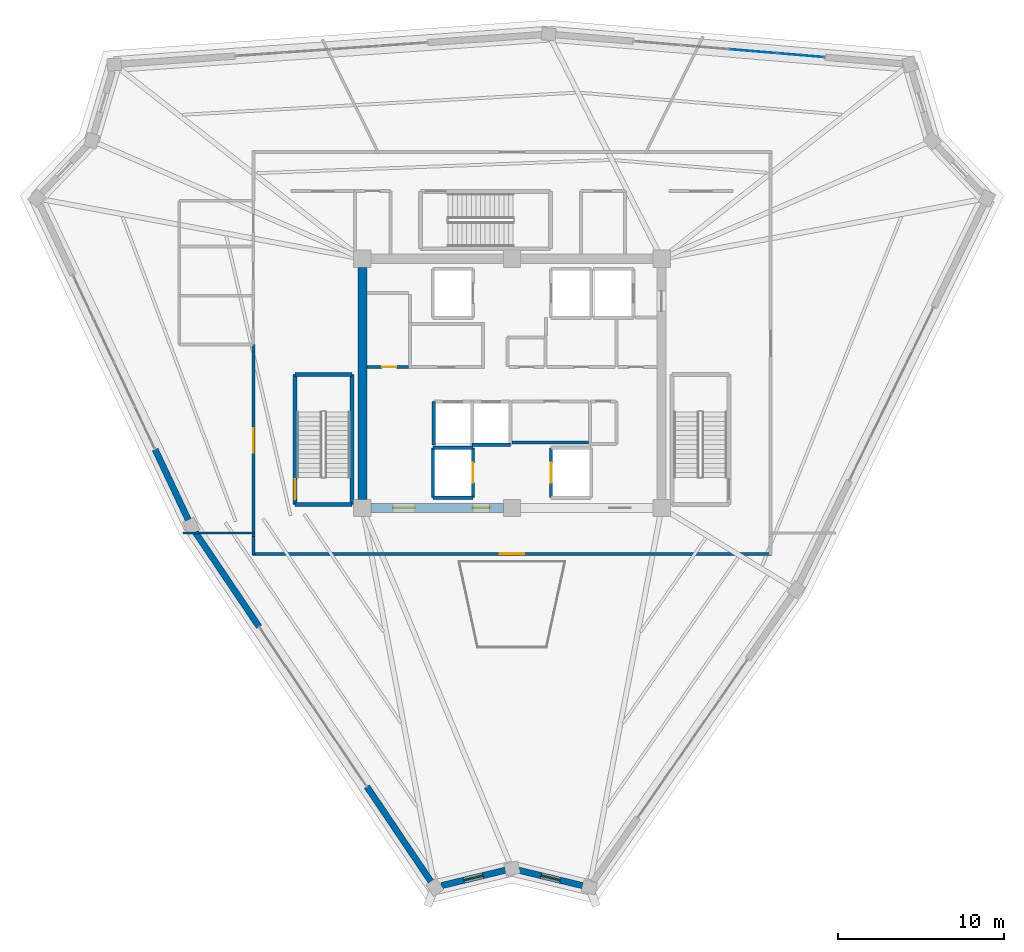
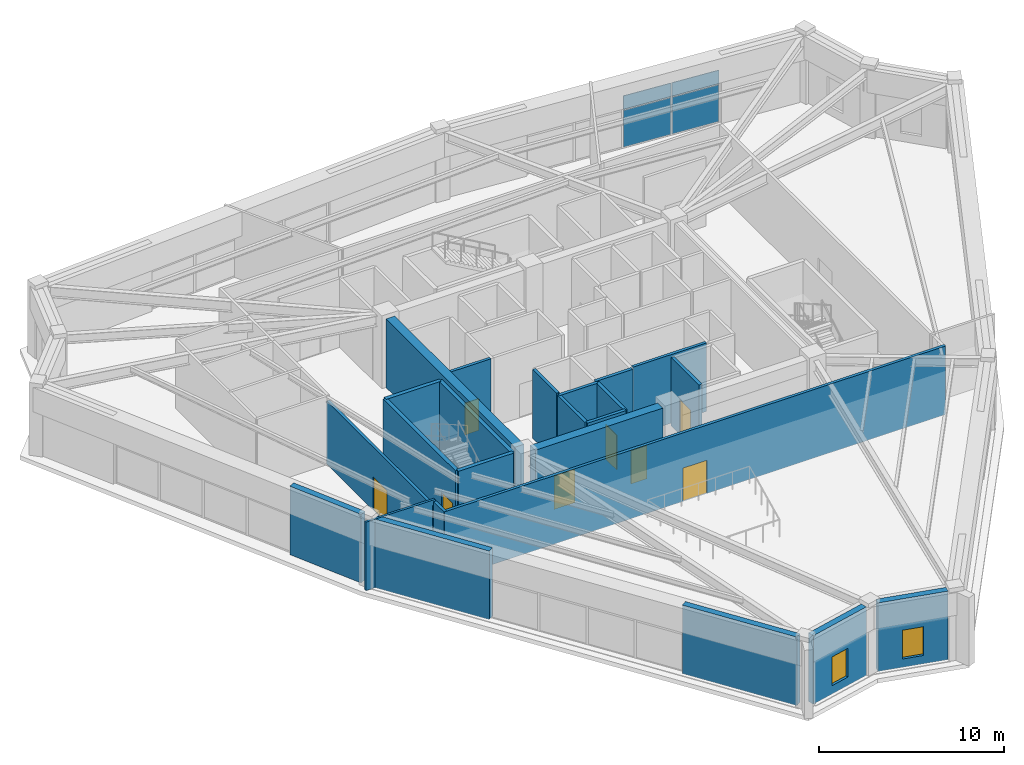
# One storey, part 33 of 40: 24 walls, 8 doors, 4 plates, 2 windows, 10 openings, 1 element without a shape of its own.
"""IFC4 building model written with IfcOpenShell, lengths in metres."""

from ifc_helpers import new_model, si_unit, direction, frame, frame_2d, origin, origin_2d, place, context, subcontext, project, spatial, rectangle, extrude, source, transform, mapped, material, layer, layer_set, type_object, element, fill, aggregate, save


model = new_model("IFC4")

# Units and contexts
model_context = context("Model", 3, precision=1e-05, world=origin(), true_north=direction((0.0, 1.0)))
body_context = subcontext(model_context, "Body", "Model", "MODEL_VIEW")
ifc_project = project(units=[si_unit("LENGTHUNIT", "METRE"), si_unit("AREAUNIT", "SQUARE_METRE"), si_unit("VOLUMEUNIT", "CUBIC_METRE"), si_unit("PLANEANGLEUNIT", "RADIAN"), si_unit("MASSUNIT", "GRAM", prefix="KILO")], contexts=[model_context])

# Site, building, storey
site_placement = place(None, origin())
site = spatial("IfcSite", under=ifc_project, at=site_placement, CompositionType="ELEMENT")
building_placement = place(site_placement, origin())
building = spatial("IfcBuilding", under=site, at=building_placement, Name="Liaohun Quay Tower", CompositionType="ELEMENT")
storey_placement = place(building_placement, frame((0.0, 0.0, 351.0)))
storey = spatial("IfcBuildingStorey", under=building, at=storey_placement, Name="L91", CompositionType="ELEMENT", Elevation=351.0)

# Curtain wall, plates
ifc_material_1 = material(Name="Observation gallery panoramic triple-glazed curtain wall")
ifc_layer_1 = layer(ifc_material_1, 0.219970703125, Name="Observation gallery panoramic triple-glazed curtain wall")
ifc_layer_set_1 = layer_set([ifc_layer_1], Name="Observation gallery panoramic triple-glazed curtain wall")
curtain_wall_type = type_object("IfcCurtainWallType", Name="CW-OBS-CRN", PredefinedType="NOTDEFINED", material=ifc_layer_set_1)
curtain_wall_placement = place(storey_placement, origin())
curtain_wall = element("IfcCurtainWall", 1, at=curtain_wall_placement, inside=storey, type_object=curtain_wall_type, Name="L91 Panoramic Belvedere Curtain Wall 03", PredefinedType="NOTDEFINED")
ifc_material_2 = material(Name="Triple Low-E clear insulated glass unit", Category="glass")
ifc_layer_2 = layer(ifc_material_2, 0.0439453125, Name="Triple Low-E clear insulated glass unit", Category="glass")
ifc_layer_set_2 = layer_set([ifc_layer_2], Name="Triple Low-E clear insulated glass unit")
plate_type = type_object("IfcPlateType", Name="PLT-CWP-GLZ1", PredefinedType="CURTAIN_PANEL", material=ifc_layer_set_2)
shared_shape_1 = source(origin(), body_context, "Body", "SweptSolid", [
    extrude(rectangle(XDim=2.80224609375, YDim=0.0439453125, at=origin_2d()), origin(), (0.0, 0.0, 1.0), 2.429931640625),
])
plate_1_placement = place(storey_placement, frame((77.388916015625, 73.7421875, 0.06005859375), z_axis=(0.0, 0.0, 1.0), x_axis=(-0.996518951226, 0.083366539138, 0.0)))
plate_1 = element("IfcPlate", 2, at=plate_1_placement, type_object=plate_type, Name="CW6 panel 1.1", PredefinedType="CURTAIN_PANEL", context=body_context, shape_type="MappedRepresentation", body=[
    mapped(shared_shape_1, transform((0.0, 0.0, 0.0), x_axis=(1.0, 0.0, 0.0), y_axis=(0.0, 1.0, 0.0), z_axis=(0.0, 0.0, 1.0), scale=1.0)),
])
shared_shape_2 = source(origin(), body_context, "Body", "SweptSolid", [
    extrude(rectangle(XDim=2.80224609375, YDim=0.0439453125, at=origin_2d()), origin(), (0.0, 0.0, 1.0), 0.889892578125),
])
plate_2_placement = place(storey_placement, frame((77.388916015625, 73.7421875, 2.55029296875), z_axis=(0.0, 0.0, 1.0), x_axis=(-0.996518951226, 0.083366539138, 0.0)))
plate_2 = element("IfcPlate", 3, at=plate_2_placement, type_object=plate_type, Name="CW6 panel 1.2", PredefinedType="CURTAIN_PANEL", context=body_context, shape_type="MappedRepresentation", body=[
    mapped(shared_shape_2, transform((0.0, 0.0, 0.0), x_axis=(1.0, 0.0, 0.0), y_axis=(0.0, 1.0, 0.0), z_axis=(0.0, 0.0, 1.0), scale=1.0)),
])
shared_shape_3 = source(origin(), body_context, "Body", "SweptSolid", [
    extrude(rectangle(XDim=2.8349609375, YDim=0.0439453125, at=origin_2d()), origin(), (0.0, 0.0, 1.0), 2.429931640625),
])
plate_3_placement = place(storey_placement, frame((74.515380859375, 73.982666015625, 0.06005859375), z_axis=(0.0, 0.0, 1.0), x_axis=(-0.996518951226, 0.083366539138, 0.0)))
plate_3 = element("IfcPlate", 4, at=plate_3_placement, type_object=plate_type, Name="CW6 panel 2.1", PredefinedType="CURTAIN_PANEL", context=body_context, shape_type="MappedRepresentation", body=[
    mapped(shared_shape_3, transform((0.0, 0.0, 0.0), x_axis=(1.0, 0.0, 0.0), y_axis=(0.0, 1.0, 0.0), z_axis=(0.0, 0.0, 1.0), scale=1.0)),
])
shared_shape_4 = source(origin(), body_context, "Body", "SweptSolid", [
    extrude(rectangle(XDim=2.8349609375, YDim=0.0439453125, at=origin_2d()), origin(), (0.0, 0.0, 1.0), 0.889892578125),
])
plate_4_placement = place(storey_placement, frame((74.515380859375, 73.982666015625, 2.55029296875), z_axis=(0.0, 0.0, 1.0), x_axis=(-0.996518951226, 0.083366539138, 0.0)))
plate_4 = element("IfcPlate", 5, at=plate_4_placement, type_object=plate_type, Name="CW6 panel 2.2", PredefinedType="CURTAIN_PANEL", context=body_context, shape_type="MappedRepresentation", body=[
    mapped(shared_shape_4, transform((0.0, 0.0, 0.0), x_axis=(1.0, 0.0, 0.0), y_axis=(0.0, 1.0, 0.0), z_axis=(0.0, 0.0, 1.0), scale=1.0)),
])
aggregate(curtain_wall, [plate_1, plate_2, plate_3, plate_4])

# Wall, openings, doors
ifc_material_3 = material(Name="Concrete C50", Category="concrete")
ifc_layer_3 = layer(ifc_material_3, 0.550048828125, Name="Concrete C50", Category="concrete")
ifc_layer_set_3 = layer_set([ifc_layer_3], Name="Concrete C50")
wall_type_1 = type_object("IfcWallType", Name="WAL-COR-Z4", PredefinedType="SHEAR", material=ifc_layer_set_3)
wall_1_placement = place(storey_placement, frame((59.47509765625, 46.5, 0.0), z_axis=(0.0, 0.0, 1.0), x_axis=(-1.0, 0.0, 0.0)))
wall_1 = element("IfcWall", 6, at=wall_1_placement, inside=storey, type_object=wall_type_1, Name="L91 Central Core Shear Wall S-W", PredefinedType="SHEAR", context=body_context, shape_type="SweptSolid", body=[
    extrude(rectangle(XDim=7.9501953125, YDim=0.550048828125, at=frame_2d((3.97509765625, 0.0))), origin(), (0.0, 0.0, 1.0), 4.52001953125),
])
shared_shape_5 = source(origin(), body_context, "Body", "SweptSolid", [
    extrude(rectangle(XDim=1.300048828125, YDim=2.199951171875, at=frame_2d((0.64990234375, 1.10009765625))), frame((0.0, 0.284912109375, 0.0), z_axis=(0.0, -1.0, 0.0), x_axis=(1.0, 0.0, 0.0)), (0.0, 0.0, 1.0), 0.570068359375),
])
opening_1_placement = place(wall_1_placement, frame((5.324951171875, 0.0, 0.0)))
opening_1 = element("IfcOpeningElement", 7, at=opening_1_placement, cuts=wall_1, Name="Opening FD1", PredefinedType="OPENING", context=body_context, shape_type="MappedRepresentation", body=[
    mapped(shared_shape_5, transform((0.0, 0.0, 0.0), x_axis=(1.0, 0.0, 0.0), y_axis=(0.0, 1.0, 0.0), z_axis=(0.0, 0.0, 1.0), scale=1.0)),
])
shared_shape_6 = source(origin(), body_context, "Body", "SweptSolid", [
    extrude(rectangle(XDim=1.0, YDim=2.199951171875, at=frame_2d((0.5, 1.10009765625))), frame((0.0, 0.284912109375, 0.0), z_axis=(0.0, -1.0, 0.0), x_axis=(1.0, 0.0, 0.0)), (0.0, 0.0, 1.0), 0.570068359375),
])
opening_2_placement = place(wall_1_placement, frame((0.824951171875, 0.0, 0.0)))
opening_2 = element("IfcOpeningElement", 8, at=opening_2_placement, cuts=wall_1, Name="Opening FD2", PredefinedType="OPENING", context=body_context, shape_type="MappedRepresentation", body=[
    mapped(shared_shape_6, transform((0.0, 0.0, 0.0), x_axis=(1.0, 0.0, 0.0), y_axis=(0.0, 1.0, 0.0), z_axis=(0.0, 0.0, 1.0), scale=1.0)),
])
ifc_material_4 = material(Name="Galvanised steel smokeproof fire door", Category="steel")
door_type_1 = type_object("IfcDoorType", Name="DOR-FFL-1300", OperationType="NOTDEFINED", PredefinedType="DOOR", material=ifc_material_4)
shared_shape_7 = source(origin(), body_context, "Body", "SweptSolid", [
    extrude(rectangle(XDim=1.300048828125, YDim=2.199951171875, at=frame_2d((0.64990234375, 1.10009765625))), frame((0.0, 0.02490234375, 0.0), z_axis=(0.0, -1.0, 0.0), x_axis=(1.0, 0.0, 0.0)), (0.0, 0.0, 1.0), 0.050048828125),
])
door_1_placement = place(opening_1_placement, origin())
door_1 = element("IfcDoor", 9, at=door_1_placement, inside=storey, type_object=door_type_1, Name="L91 West Core Lift Lobby Smokeproof Door", OperationType="SINGLE_SWING_RIGHT", OverallHeight=2.199951171875, OverallWidth=1.300048828125, PredefinedType="DOOR", context=body_context, shape_type="MappedRepresentation", body=[
    mapped(shared_shape_7, transform((0.0, 0.0, 0.0), x_axis=(1.0, 0.0, 0.0), y_axis=(0.0, 1.0, 0.0), z_axis=(0.0, 0.0, 1.0), scale=1.0)),
])
fill(opening_1, door_1)
ifc_material_5 = material(Name="Galvanised steel smokeproof lobby fire door", Category="steel")
door_type_2 = type_object("IfcDoorType", Name="DOR-FFL-1000", OperationType="NOTDEFINED", PredefinedType="DOOR", material=ifc_material_5)
shared_shape_8 = source(origin(), body_context, "Body", "SweptSolid", [
    extrude(rectangle(XDim=1.0, YDim=2.199951171875, at=frame_2d((0.5, 1.10009765625))), frame((0.0, 0.02490234375, 0.0), z_axis=(0.0, -1.0, 0.0), x_axis=(1.0, 0.0, 0.0)), (0.0, 0.0, 1.0), 0.050048828125),
])
door_2_placement = place(opening_2_placement, origin())
door_2 = element("IfcDoor", 10, at=door_2_placement, inside=storey, type_object=door_type_2, Name="L91 South Firefighting Lobby Smokeproof Door", OperationType="SINGLE_SWING_LEFT", OverallHeight=2.199951171875, OverallWidth=1.0, PredefinedType="DOOR", context=body_context, shape_type="MappedRepresentation", body=[
    mapped(shared_shape_8, transform((0.0, 0.0, 0.0), x_axis=(1.0, 0.0, 0.0), y_axis=(0.0, 1.0, 0.0), z_axis=(0.0, 0.0, 1.0), scale=1.0)),
])
fill(opening_2, door_2)

# Wall
wall_2_placement = place(storey_placement, frame((51.0, 47.02490234375, 0.0), z_axis=(0.0, 0.0, 1.0), x_axis=(0.0, 1.0, 0.0)))
element("IfcWall", 11, at=wall_2_placement, inside=storey, type_object=wall_type_1, Name="L91 Central Core Shear Wall W", PredefinedType="SHEAR", context=body_context, shape_type="SweptSolid", body=[
    extrude(rectangle(XDim=13.9501953125, YDim=0.550048828125, at=frame_2d((6.97509765625, 0.0))), origin(), (0.0, 0.0, 1.0), 4.52001953125),
])

# Wall, opening, window
ifc_material_6 = material(Name="Precast concrete C50 insulated sandwich", Category="concrete")
ifc_layer_4 = layer(ifc_material_6, 0.3798828125, Name="Precast concrete C50 insulated sandwich", Category="concrete")
ifc_layer_set_4 = layer_set([ifc_layer_4], Name="Precast concrete C50 insulated sandwich")
wall_type_2 = type_object("IfcWallType", Name="WAL-EXT-Z34", PredefinedType="SOLIDWALL", material=ifc_layer_set_4)
wall_3_placement = place(storey_placement, frame((60.403076171875, 24.701904296875, 0.0), z_axis=(0.0, 0.0, 1.0), x_axis=(0.972087058114, -0.234620441238, 0.0)))
wall_3 = element("IfcWall", 12, at=wall_3_placement, inside=storey, type_object=wall_type_2, Name="L91 Corner Notch Precast Pier Wall 01", PredefinedType="SOLIDWALL", context=body_context, shape_type="SweptSolid", body=[
    extrude(rectangle(XDim=3.95947265625, YDim=0.3798828125, at=frame_2d((1.979736328125, 0.0))), origin(), (0.0, 0.0, 1.0), 4.52001953125),
])
shared_shape_9 = source(origin(), body_context, "Body", "SweptSolid", [
    extrude(rectangle(XDim=1.199951171875, YDim=1.89990234375, at=frame_2d((0.60009765625, 0.949951171875))), frame((0.0, 0.199951171875, 0.0), z_axis=(0.0, -1.0, 0.0), x_axis=(1.0, 0.0, 0.0)), (0.0, 0.0, 1.0), 0.39990234375),
])
opening_3_placement = place(wall_3_placement, frame((1.3798828125, 0.0, 0.550048828125)))
opening_3 = element("IfcOpeningElement", 13, at=opening_3_placement, cuts=wall_3, Name="Opening W05", PredefinedType="OPENING", context=body_context, shape_type="MappedRepresentation", body=[
    mapped(shared_shape_9, transform((0.0, 0.0, 0.0), x_axis=(1.0, 0.0, 0.0), y_axis=(0.0, 1.0, 0.0), z_axis=(0.0, 0.0, 1.0), scale=1.0)),
])
ifc_material_7 = material(Name="Triple Low-E corner notch glazing", Category="glass")
window_type = type_object("IfcWindowType", Name="WIN-NOTCH", PartitioningType="SINGLE_PANEL", PredefinedType="WINDOW", material=ifc_material_7)
shared_shape_10 = source(origin(), body_context, "Body", "SweptSolid", [
    extrude(rectangle(XDim=1.199951171875, YDim=1.89990234375, at=frame_2d((0.60009765625, 0.949951171875))), frame((0.0, 0.030029296875, 0.0), z_axis=(0.0, -1.0, 0.0), x_axis=(1.0, 0.0, 0.0)), (0.0, 0.0, 1.0), 0.06005859375),
])
window_1_placement = place(opening_3_placement, origin())
window_1 = element("IfcWindow", 14, at=window_1_placement, inside=storey, type_object=window_type, Name="L91 Corner Notch Window W05-01", OverallHeight=1.89990234375, OverallWidth=1.199951171875, PartitioningType="SINGLE_PANEL", PredefinedType="WINDOW", context=body_context, shape_type="MappedRepresentation", body=[
    mapped(shared_shape_10, transform((0.0, 0.0, 0.0), x_axis=(1.0, 0.0, 0.0), y_axis=(0.0, 1.0, 0.0), z_axis=(0.0, 0.0, 1.0), scale=1.0)),
])
fill(opening_3, window_1)

# Walls
wall_4_placement = place(storey_placement, frame((38.52587890625, 50.02001953125, 0.0), z_axis=(0.0, 0.0, 1.0), x_axis=(0.425937528266, -0.904752575025, 0.0)))
element("IfcWall", 15, at=wall_4_placement, inside=storey, type_object=wall_type_2, Name="L91 Belvedere Flank Pier Wall 10R", PredefinedType="SOLIDWALL", context=body_context, shape_type="SweptSolid", body=[
    extrude(rectangle(XDim=4.686279296875, YDim=0.3798828125, at=frame_2d((2.34326171875, 0.0))), origin(), (0.0, 0.0, 1.0), 4.52001953125),
])
for number, where, z_axis, x_axis, name in (
    (16, (40.930908203125, 45.06103515625, 0.0), (0.0, 0.0, 1.0), (0.559190389006, -0.829039268578, 0.0), "L91 Belvedere Flank Pier Wall 11L"),
    (17, (51.27001953125, 29.73291015625, 0.0), (0.0, 0.0, 1.0), (0.559190389006, -0.829039268578, 0.0), "L91 Belvedere Flank Pier Wall 11R"),
):
    element("IfcWall", number, at=place(storey_placement, frame(where, z_axis=z_axis, x_axis=x_axis)), inside=storey, type_object=wall_type_2, Name=name, PredefinedType="SOLIDWALL", context=body_context, shape_type="SweptSolid", body=[
        extrude(rectangle(XDim=6.888671875, YDim=0.3798828125, at=frame_2d((3.4443359375, 0.0))), origin(), (0.0, 0.0, 1.0), 4.52001953125),
    ])

# Wall, opening, window
wall_5_placement = place(storey_placement, frame((55.757080078125, 23.77490234375, 0.0), z_axis=(0.0, 0.0, 1.0), x_axis=(0.972073944114, 0.234674768934, 0.0)))
wall_5 = element("IfcWall", 18, at=wall_5_placement, inside=storey, type_object=wall_type_2, Name="L91 Corner Notch Precast Pier Wall 12", PredefinedType="SOLIDWALL", context=body_context, shape_type="SweptSolid", body=[
    extrude(rectangle(XDim=3.9501953125, YDim=0.3798828125, at=frame_2d((1.97509765625, 0.0))), origin(), (0.0, 0.0, 1.0), 4.52001953125),
])
opening_4_placement = place(wall_5_placement, frame((1.375, 0.0, 0.550048828125)))
opening_4 = element("IfcOpeningElement", 19, at=opening_4_placement, cuts=wall_5, Name="Opening W05", PredefinedType="OPENING", context=body_context, shape_type="MappedRepresentation", body=[
    mapped(shared_shape_9, transform((0.0, 0.0, 0.0), x_axis=(1.0, 0.0, 0.0), y_axis=(0.0, 1.0, 0.0), z_axis=(0.0, 0.0, 1.0), scale=1.0)),
])
window_2_placement = place(opening_4_placement, origin())
window_2 = element("IfcWindow", 20, at=window_2_placement, inside=storey, type_object=window_type, Name="L91 Corner Notch Window W05-12", OverallHeight=1.89990234375, OverallWidth=1.199951171875, PartitioningType="SINGLE_PANEL", PredefinedType="WINDOW", context=body_context, shape_type="MappedRepresentation", body=[
    mapped(shared_shape_10, transform((0.0, 0.0, 0.0), x_axis=(1.0, 0.0, 0.0), y_axis=(0.0, 1.0, 0.0), z_axis=(0.0, 0.0, 1.0), scale=1.0)),
])
fill(opening_4, window_2)

# Wall, opening, door
ifc_material_8 = material(Name="Autoclaved aerated concrete blockwork", Category="masonry")
ifc_layer_5 = layer(ifc_material_8, 0.179931640625, Name="Autoclaved aerated concrete blockwork", Category="masonry")
ifc_layer_set_5 = layer_set([ifc_layer_5], Name="Autoclaved aerated concrete blockwork")
wall_type_3 = type_object("IfcWallType", Name="WAL-PRT-COR", PredefinedType="PARTITIONING", material=ifc_layer_set_5)
wall_6_placement = place(storey_placement, frame((51.27490234375, 54.97998046875, 0.0), z_axis=(0.0, 0.0, 1.0), x_axis=(1.0, 0.0, 0.0)))
wall_6 = element("IfcWall", 21, at=wall_6_placement, inside=storey, type_object=wall_type_3, Name="L91 Interior Partition Wall 003", PredefinedType="PARTITIONING", context=body_context, shape_type="SweptSolid", body=[
    extrude(rectangle(XDim=2.485107421875, YDim=0.179931640625, at=frame_2d((1.24267578125, 0.0))), origin(), (0.0, 0.0, 1.0), 4.52001953125),
])
shared_shape_11 = source(origin(), body_context, "Body", "SweptSolid", [
    extrude(rectangle(XDim=0.85009765625, YDim=2.10009765625, at=frame_2d((0.425048828125, 1.050048828125))), frame((0.0, 0.099853515625, 0.0), z_axis=(0.0, -1.0, 0.0), x_axis=(1.0, 0.0, 0.0)), (0.0, 0.0, 1.0), 0.199951171875),
])
opening_5_placement = place(wall_6_placement, frame((0.9150390625, 0.0, 0.0)))
opening_5 = element("IfcOpeningElement", 22, at=opening_5_placement, cuts=wall_6, Name="Opening AD1", PredefinedType="OPENING", context=body_context, shape_type="MappedRepresentation", body=[
    mapped(shared_shape_11, transform((0.0, 0.0, 0.0), x_axis=(1.0, 0.0, 0.0), y_axis=(0.0, 1.0, 0.0), z_axis=(0.0, 0.0, 1.0), scale=1.0)),
])
ifc_material_9 = material(Name="Steel riser inspection fire door", Category="steel")
door_type_3 = type_object("IfcDoorType", Name="DOR-SHF-850", OperationType="NOTDEFINED", PredefinedType="DOOR", material=ifc_material_9)
shared_shape_12 = source(origin(), body_context, "Body", "SweptSolid", [
    extrude(rectangle(XDim=0.85009765625, YDim=2.10009765625, at=frame_2d((0.425048828125, 1.050048828125))), frame((0.0, 0.02490234375, 0.0), z_axis=(0.0, -1.0, 0.0), x_axis=(1.0, 0.0, 0.0)), (0.0, 0.0, 1.0), 0.050048828125),
])
door_3_placement = place(opening_5_placement, origin())
door_3 = element("IfcDoor", 23, at=door_3_placement, inside=storey, type_object=door_type_3, Name="L91 Core High-Zone Archive and Riser Store Door", OperationType="SINGLE_SWING_LEFT", OverallHeight=2.10009765625, OverallWidth=0.85009765625, PredefinedType="DOOR", context=body_context, shape_type="MappedRepresentation", body=[
    mapped(shared_shape_12, transform((0.0, 0.0, 0.0), x_axis=(1.0, 0.0, 0.0), y_axis=(0.0, 1.0, 0.0), z_axis=(0.0, 0.0, 1.0), scale=1.0)),
])
fill(opening_5, door_3)

wall_7_placement = place(storey_placement, frame((44.43994140625, 44.784912109375, 0.0), z_axis=(0.0, 0.0, 1.0), x_axis=(0.0, 1.0, 0.0)))
wall_7 = element("IfcWall", 24, at=wall_7_placement, inside=storey, type_object=wall_type_3, Name="L91 Interior Partition Wall 017", PredefinedType="PARTITIONING", context=body_context, shape_type="SweptSolid", body=[
    extrude(rectangle(XDim=11.55517578125, YDim=0.179931640625, at=frame_2d((5.777587890625, 0.0))), origin(), (0.0, 0.0, 1.0), 4.155029296875),
])
shared_shape_13 = source(origin(), body_context, "Body", "SweptSolid", [
    extrude(rectangle(XDim=1.5, YDim=2.199951171875, at=frame_2d((0.75, 1.10009765625))), frame((0.0, 0.099853515625, 0.0), z_axis=(0.0, -1.0, 0.0), x_axis=(1.0, 0.0, 0.0)), (0.0, 0.0, 1.0), 0.199951171875),
])
opening_6_placement = place(wall_7_placement, frame((5.028076171875, 0.0, 0.0)))
opening_6 = element("IfcOpeningElement", 25, at=opening_6_placement, cuts=wall_7, Name="Opening OD2", PredefinedType="OPENING", context=body_context, shape_type="MappedRepresentation", body=[
    mapped(shared_shape_13, transform((0.0, 0.0, 0.0), x_axis=(1.0, 0.0, 0.0), y_axis=(0.0, 1.0, 0.0), z_axis=(0.0, 0.0, 1.0), scale=1.0)),
])
ifc_material_10 = material(Name="Acoustic oak veneer double door")
door_type_4 = type_object("IfcDoorType", Name="DOR-OFF-1500", OperationType="DOUBLE_DOOR_SINGLE_SWING", PredefinedType="DOOR", material=ifc_material_10)
shared_shape_14 = source(origin(), body_context, "Body", "SweptSolid", [
    extrude(rectangle(XDim=1.5, YDim=2.199951171875, at=frame_2d((0.75, 1.10009765625))), frame((0.0, 0.02490234375, 0.0), z_axis=(0.0, -1.0, 0.0), x_axis=(1.0, 0.0, 0.0)), (0.0, 0.0, 1.0), 0.050048828125),
])
door_4_placement = place(opening_6_placement, origin())
door_4 = element("IfcDoor", 26, at=door_4_placement, inside=storey, type_object=door_type_4, Name="L91 West Skyline Exhibition Studio 03 Door", OperationType="DOUBLE_DOOR_SINGLE_SWING", OverallHeight=2.199951171875, OverallWidth=1.5, PredefinedType="DOOR", context=body_context, shape_type="MappedRepresentation", body=[
    mapped(shared_shape_14, transform((0.0, 0.0, 0.0), x_axis=(1.0, 0.0, 0.0), y_axis=(0.0, 1.0, 0.0), z_axis=(0.0, 0.0, 1.0), scale=1.0)),
])
fill(opening_6, door_4)

wall_8_placement = place(storey_placement, frame((75.6298828125, 43.739990234375, 0.0), z_axis=(0.0, 0.0, 1.0), x_axis=(-1.0, 0.0, 0.0)))
wall_8 = element("IfcWall", 27, at=wall_8_placement, inside=storey, type_object=wall_type_3, Name="L91 Interior Partition Wall 018", PredefinedType="PARTITIONING", context=body_context, shape_type="SweptSolid", body=[
    extrude(rectangle(XDim=31.259765625, YDim=0.179931640625, at=frame_2d((15.6298828125, 0.0))), origin(), (0.0, 0.0, 1.0), 4.52001953125),
])
opening_7_placement = place(wall_8_placement, frame((14.8798828125, 0.0, 0.0)))
opening_7 = element("IfcOpeningElement", 28, at=opening_7_placement, cuts=wall_8, Name="Opening OD2", PredefinedType="OPENING", context=body_context, shape_type="MappedRepresentation", body=[
    mapped(shared_shape_13, transform((0.0, 0.0, 0.0), x_axis=(1.0, 0.0, 0.0), y_axis=(0.0, 1.0, 0.0), z_axis=(0.0, 0.0, 1.0), scale=1.0)),
])
door_5_placement = place(opening_7_placement, origin())
door_5 = element("IfcDoor", 29, at=door_5_placement, inside=storey, type_object=door_type_4, Name="L91 North Sky Refreshment Kitchen 04 Door", OperationType="DOUBLE_DOOR_SINGLE_SWING", OverallHeight=2.199951171875, OverallWidth=1.5, PredefinedType="DOOR", context=body_context, shape_type="MappedRepresentation", body=[
    mapped(shared_shape_14, transform((0.0, 0.0, 0.0), x_axis=(1.0, 0.0, 0.0), y_axis=(0.0, 1.0, 0.0), z_axis=(0.0, 0.0, 1.0), scale=1.0)),
])
fill(opening_7, door_5)

# Walls
wall_9_placement = place(storey_placement, frame((44.43994140625, 43.669921875, 0.0), z_axis=(0.0, 0.0, 1.0), x_axis=(0.0, 1.0, 0.0)))
element("IfcWall", 30, at=wall_9_placement, inside=storey, type_object=wall_type_3, Name="L91 Interior Partition Wall 039", PredefinedType="PARTITIONING", context=body_context, shape_type="SweptSolid", body=[
    extrude(rectangle(XDim=1.114990234375, YDim=0.179931640625, at=frame_2d((0.5576171875, 0.0))), origin(), (0.0, 0.0, 1.0), 4.52001953125),
])
wall_10_placement = place(storey_placement, frame((60.0, 50.449951171875, 0.0), z_axis=(0.0, 0.0, 1.0), x_axis=(1.0, 0.0, 0.0)))
element("IfcWall", 31, at=wall_10_placement, inside=storey, type_object=wall_type_3, Name="L91 Interior Partition Wall 045", PredefinedType="PARTITIONING", context=body_context, shape_type="SweptSolid", body=[
    extrude(rectangle(XDim=4.60009765625, YDim=0.179931640625, at=frame_2d((2.300048828125, 0.0))), origin(), (0.0, 0.0, 1.0), 4.52001953125),
])
ifc_material_11 = material(Name="Gypsum board on twin steel studs", Category="steel")
ifc_layer_6 = layer(ifc_material_11, 0.139892578125, Name="Gypsum board on twin steel studs", Category="steel")
ifc_layer_set_6 = layer_set([ifc_layer_6], Name="Gypsum board on twin steel studs")
wall_type_4 = type_object("IfcWallType", Name="WAL-PRT-OFF", PredefinedType="PARTITIONING", material=ifc_layer_set_6)
wall_11_placement = place(storey_placement, frame((44.5400390625, 45.0, 0.0), z_axis=(0.0, 0.0, 1.0), x_axis=(-1.0, 0.0, 0.0)))
element("IfcWall", 32, at=wall_11_placement, inside=storey, type_object=wall_type_4, Name="L91 Interior Partition Wall 041", PredefinedType="PARTITIONING", context=body_context, shape_type="SweptSolid", body=[
    extrude(rectangle(XDim=4.3271484375, YDim=0.139892578125, at=frame_2d((2.16357421875, 0.0))), origin(), (0.0, 0.0, 1.0), 4.52001953125),
])
ifc_layer_7 = layer(ifc_material_3, 0.239990234375, Name="Concrete C50", Category="concrete")
ifc_layer_set_7 = layer_set([ifc_layer_7], Name="Concrete C50")
wall_type_5 = type_object("IfcWallType", Name="WAL-SHF-200", PredefinedType="SOLIDWALL", material=ifc_layer_set_7)
wall_12_placement = place(storey_placement, frame((46.93994140625, 46.699951171875, 0.0), z_axis=(0.0, 0.0, 1.0), x_axis=(1.0, 0.0, 0.0)))
element("IfcWall", 33, at=wall_12_placement, inside=storey, type_object=wall_type_5, Name="L91 Stairwell ST-1 Structural Core Wall S", PredefinedType="SOLIDWALL", context=body_context, shape_type="SweptSolid", body=[
    extrude(rectangle(XDim=3.43994140625, YDim=0.239990234375, at=frame_2d((1.719970703125, 0.0))), origin(), (0.0, 0.0, 1.0), 4.52001953125),
])
wall_13_placement = place(storey_placement, frame((50.3798828125, 46.699951171875, 0.0), z_axis=(0.0, 0.0, 1.0), x_axis=(0.0, 1.0, 0.0)))
element("IfcWall", 34, at=wall_13_placement, inside=storey, type_object=wall_type_5, Name="L91 Stairwell ST-1 Structural Core Wall E", PredefinedType="SOLIDWALL", context=body_context, shape_type="SweptSolid", body=[
    extrude(rectangle(XDim=7.820068359375, YDim=0.239990234375, at=frame_2d((3.91015625, 0.0))), origin(), (0.0, 0.0, 1.0), 4.52001953125),
])
wall_14_placement = place(storey_placement, frame((50.3798828125, 54.52001953125, 0.0), z_axis=(0.0, 0.0, 1.0), x_axis=(-1.0, 0.0, 0.0)))
element("IfcWall", 35, at=wall_14_placement, inside=storey, type_object=wall_type_5, Name="L91 Stairwell ST-1 Structural Core Wall N", PredefinedType="SOLIDWALL", context=body_context, shape_type="SweptSolid", body=[
    extrude(rectangle(XDim=3.43994140625, YDim=0.239990234375, at=frame_2d((1.719970703125, 0.0))), origin(), (0.0, 0.0, 1.0), 4.52001953125),
])

# Wall, opening, door
wall_15_placement = place(storey_placement, frame((46.93994140625, 54.52001953125, 0.0), z_axis=(0.0, 0.0, 1.0), x_axis=(0.0, -1.0, 0.0)))
wall_15 = element("IfcWall", 36, at=wall_15_placement, inside=storey, type_object=wall_type_5, Name="L91 Stairwell ST-1 Structural Core Wall W", PredefinedType="SOLIDWALL", context=body_context, shape_type="SweptSolid", body=[
    extrude(rectangle(XDim=7.820068359375, YDim=0.239990234375, at=frame_2d((3.91015625, 0.0))), origin(), (0.0, 0.0, 1.0), 4.52001953125),
])
shared_shape_15 = source(origin(), body_context, "Body", "SweptSolid", [
    extrude(rectangle(XDim=1.199951171875, YDim=2.199951171875, at=frame_2d((0.60009765625, 1.10009765625))), frame((0.0, 0.1298828125, 0.0), z_axis=(0.0, -1.0, 0.0), x_axis=(1.0, 0.0, 0.0)), (0.0, 0.0, 1.0), 0.260009765625),
])
opening_8_placement = place(wall_15_placement, frame((6.300048828125, 0.0, 0.0)))
opening_8 = element("IfcOpeningElement", 37, at=opening_8_placement, cuts=wall_15, Name="Opening SD1", PredefinedType="OPENING", context=body_context, shape_type="MappedRepresentation", body=[
    mapped(shared_shape_15, transform((0.0, 0.0, 0.0), x_axis=(1.0, 0.0, 0.0), y_axis=(0.0, 1.0, 0.0), z_axis=(0.0, 0.0, 1.0), scale=1.0)),
])
ifc_material_12 = material(Name="Galvanised steel fire door", Category="steel")
door_type_5 = type_object("IfcDoorType", Name="DOR-STR-1200", OperationType="NOTDEFINED", PredefinedType="DOOR", material=ifc_material_12)
shared_shape_16 = source(origin(), body_context, "Body", "SweptSolid", [
    extrude(rectangle(XDim=1.199951171875, YDim=2.199951171875, at=frame_2d((0.60009765625, 1.10009765625))), frame((0.0, 0.02490234375, 0.0), z_axis=(0.0, -1.0, 0.0), x_axis=(1.0, 0.0, 0.0)), (0.0, 0.0, 1.0), 0.050048828125),
])
door_6_placement = place(opening_8_placement, origin())
door_6 = element("IfcDoor", 38, at=door_6_placement, inside=storey, type_object=door_type_5, Name="L91 Protected Stair ST-1 Fire Door", OperationType="SINGLE_SWING_LEFT", OverallHeight=2.199951171875, OverallWidth=1.199951171875, PredefinedType="DOOR", context=body_context, shape_type="MappedRepresentation", body=[
    mapped(shared_shape_16, transform((0.0, 0.0, 0.0), x_axis=(1.0, 0.0, 0.0), y_axis=(0.0, 1.0, 0.0), z_axis=(0.0, 0.0, 1.0), scale=1.0)),
])
fill(opening_8, door_6)

# Wall
wall_16_placement = place(storey_placement, frame((55.25, 47.1201171875, 0.0), z_axis=(0.0, 0.0, 1.0), x_axis=(1.0, 0.0, 0.0)))
element("IfcWall", 39, at=wall_16_placement, inside=storey, type_object=wall_type_5, Name="L91 Lift FF-01 Hoistway Wall S", PredefinedType="SOLIDWALL", context=body_context, shape_type="SweptSolid", body=[
    extrude(rectangle(XDim=2.39990234375, YDim=0.199951171875, at=frame_2d((1.199951171875, 0.0))), origin(), (0.0, 0.0, 1.0), 4.52001953125),
])

# Wall, opening, door
wall_17_placement = place(storey_placement, frame((57.64990234375, 47.1201171875, 0.0), z_axis=(0.0, 0.0, 1.0), x_axis=(0.0, 1.0, 0.0)))
wall_17 = element("IfcWall", 40, at=wall_17_placement, inside=storey, type_object=wall_type_5, Name="L91 Lift FF-01 Hoistway Wall E", PredefinedType="SOLIDWALL", context=body_context, shape_type="SweptSolid", body=[
    extrude(rectangle(XDim=3.0, YDim=0.199951171875, at=frame_2d((1.5, 0.0))), origin(), (0.0, 0.0, 1.0), 4.52001953125),
])
shared_shape_17 = source(origin(), body_context, "Body", "SweptSolid", [
    extrude(rectangle(XDim=1.199951171875, YDim=2.300048828125, at=frame_2d((0.60009765625, 1.14990234375))), frame((0.0, 0.10986328125, 0.0), z_axis=(0.0, -1.0, 0.0), x_axis=(1.0, 0.0, 0.0)), (0.0, 0.0, 1.0), 0.219970703125),
])
opening_9_placement = place(wall_17_placement, frame((0.89990234375, 0.0, 0.0)))
opening_9 = element("IfcOpeningElement", 41, at=opening_9_placement, cuts=wall_17, Name="Opening LD2", PredefinedType="OPENING", context=body_context, shape_type="MappedRepresentation", body=[
    mapped(shared_shape_17, transform((0.0, 0.0, 0.0), x_axis=(1.0, 0.0, 0.0), y_axis=(0.0, 1.0, 0.0), z_axis=(0.0, 0.0, 1.0), scale=1.0)),
])
ifc_material_13 = material(Name="Brushed stainless steel stretcher landing door", Category="steel")
door_type_6 = type_object("IfcDoorType", Name="DOR-LFT-1200", OperationType="SLIDING_TO_LEFT", PredefinedType="DOOR", material=ifc_material_13)
shared_shape_18 = source(origin(), body_context, "Body", "SweptSolid", [
    extrude(rectangle(XDim=1.199951171875, YDim=2.300048828125, at=frame_2d((0.60009765625, 1.14990234375))), frame((0.0, 0.02490234375, 0.0), z_axis=(0.0, -1.0, 0.0), x_axis=(1.0, 0.0, 0.0)), (0.0, 0.0, 1.0), 0.050048828125),
])
door_7_placement = place(opening_9_placement, origin())
door_7 = element("IfcDoor", 42, at=door_7_placement, inside=storey, type_object=door_type_6, Name="L91 Lift FF-01 Sliding Landing Door", OperationType="SLIDING_TO_LEFT", OverallHeight=2.300048828125, OverallWidth=1.199951171875, PredefinedType="DOOR", context=body_context, shape_type="MappedRepresentation", body=[
    mapped(shared_shape_18, transform((0.0, 0.0, 0.0), x_axis=(1.0, 0.0, 0.0), y_axis=(0.0, 1.0, 0.0), z_axis=(0.0, 0.0, 1.0), scale=1.0)),
])
fill(opening_9, door_7)

# Walls
wall_18_placement = place(storey_placement, frame((57.64990234375, 50.1201171875, 0.0), z_axis=(0.0, 0.0, 1.0), x_axis=(-1.0, 0.0, 0.0)))
element("IfcWall", 43, at=wall_18_placement, inside=storey, type_object=wall_type_5, Name="L91 Lift FF-01 Hoistway Wall N", PredefinedType="SOLIDWALL", context=body_context, shape_type="SweptSolid", body=[
    extrude(rectangle(XDim=2.39990234375, YDim=0.199951171875, at=frame_2d((1.199951171875, 0.0))), origin(), (0.0, 0.0, 1.0), 4.52001953125),
])
wall_19_placement = place(storey_placement, frame((55.25, 50.1201171875, 0.0), z_axis=(0.0, 0.0, 1.0), x_axis=(0.0, -1.0, 0.0)))
element("IfcWall", 44, at=wall_19_placement, inside=storey, type_object=wall_type_5, Name="L91 Lift FF-01 Hoistway Wall W", PredefinedType="SOLIDWALL", context=body_context, shape_type="SweptSolid", body=[
    extrude(rectangle(XDim=3.0, YDim=0.199951171875, at=frame_2d((1.5, 0.0))), origin(), (0.0, 0.0, 1.0), 4.52001953125),
])

# Wall, opening, door
wall_20_placement = place(storey_placement, frame((62.35009765625, 50.1201171875, 0.0), z_axis=(0.0, 0.0, 1.0), x_axis=(0.0, -1.0, 0.0)))
wall_20 = element("IfcWall", 45, at=wall_20_placement, inside=storey, type_object=wall_type_5, Name="L91 Lift FF-02 Hoistway Wall W", PredefinedType="SOLIDWALL", context=body_context, shape_type="SweptSolid", body=[
    extrude(rectangle(XDim=3.0, YDim=0.199951171875, at=frame_2d((1.5, 0.0))), origin(), (0.0, 0.0, 1.0), 4.52001953125),
])
opening_10_placement = place(wall_20_placement, frame((0.89990234375, 0.0, 0.0)))
opening_10 = element("IfcOpeningElement", 46, at=opening_10_placement, cuts=wall_20, Name="Opening LD2", PredefinedType="OPENING", context=body_context, shape_type="MappedRepresentation", body=[
    mapped(shared_shape_17, transform((0.0, 0.0, 0.0), x_axis=(1.0, 0.0, 0.0), y_axis=(0.0, 1.0, 0.0), z_axis=(0.0, 0.0, 1.0), scale=1.0)),
])
door_8_placement = place(opening_10_placement, origin())
door_8 = element("IfcDoor", 47, at=door_8_placement, inside=storey, type_object=door_type_6, Name="L91 Lift FF-02 Sliding Landing Door", OperationType="SLIDING_TO_LEFT", OverallHeight=2.300048828125, OverallWidth=1.199951171875, PredefinedType="DOOR", context=body_context, shape_type="MappedRepresentation", body=[
    mapped(shared_shape_18, transform((0.0, 0.0, 0.0), x_axis=(1.0, 0.0, 0.0), y_axis=(0.0, 1.0, 0.0), z_axis=(0.0, 0.0, 1.0), scale=1.0)),
])
fill(opening_10, door_8)

# Walls
wall_21_placement = place(storey_placement, frame((55.300048828125, 52.89990234375, 0.0), z_axis=(0.0, 0.0, 1.0), x_axis=(0.0, -1.0, 0.0)))
element("IfcWall", 48, at=wall_21_placement, inside=storey, type_object=wall_type_5, Name="L91 Lift PL-4A Hoistway Wall W", PredefinedType="SOLIDWALL", context=body_context, shape_type="SweptSolid", body=[
    extrude(rectangle(XDim=2.599853515625, YDim=0.199951171875, at=frame_2d((1.2998046875, 0.0))), origin(), (0.0, 0.0, 1.0), 4.52001953125),
])
wall_22_placement = place(storey_placement, frame((57.60009765625, 50.300048828125, 0.0), z_axis=(0.0, 0.0, 1.0), x_axis=(1.0, 0.0, 0.0)))
element("IfcWall", 49, at=wall_22_placement, inside=storey, type_object=wall_type_5, Name="L91 Lift PL-4B Hoistway Wall S", PredefinedType="SOLIDWALL", context=body_context, shape_type="SweptSolid", body=[
    extrude(rectangle(XDim=2.2998046875, YDim=0.199951171875, at=frame_2d((1.14990234375, 0.0))), origin(), (0.0, 0.0, 1.0), 4.52001953125),
])

save(model, "model.ifc")
